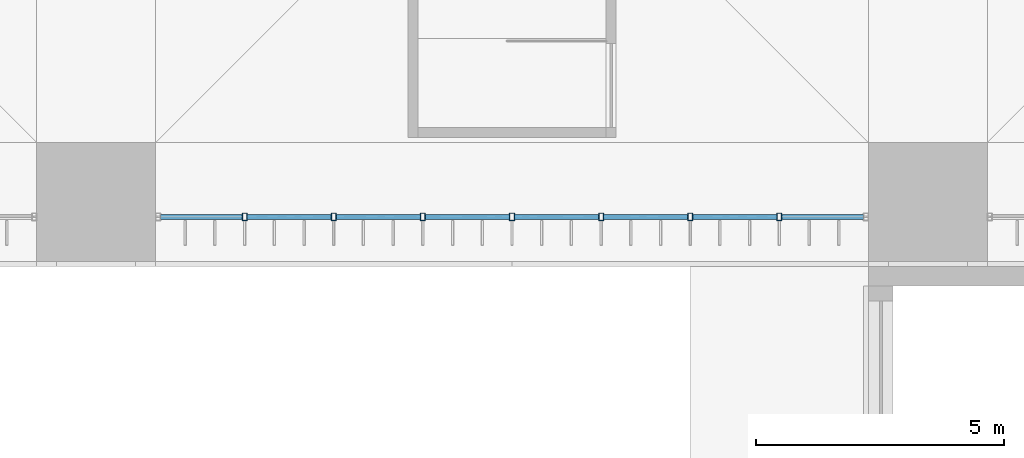
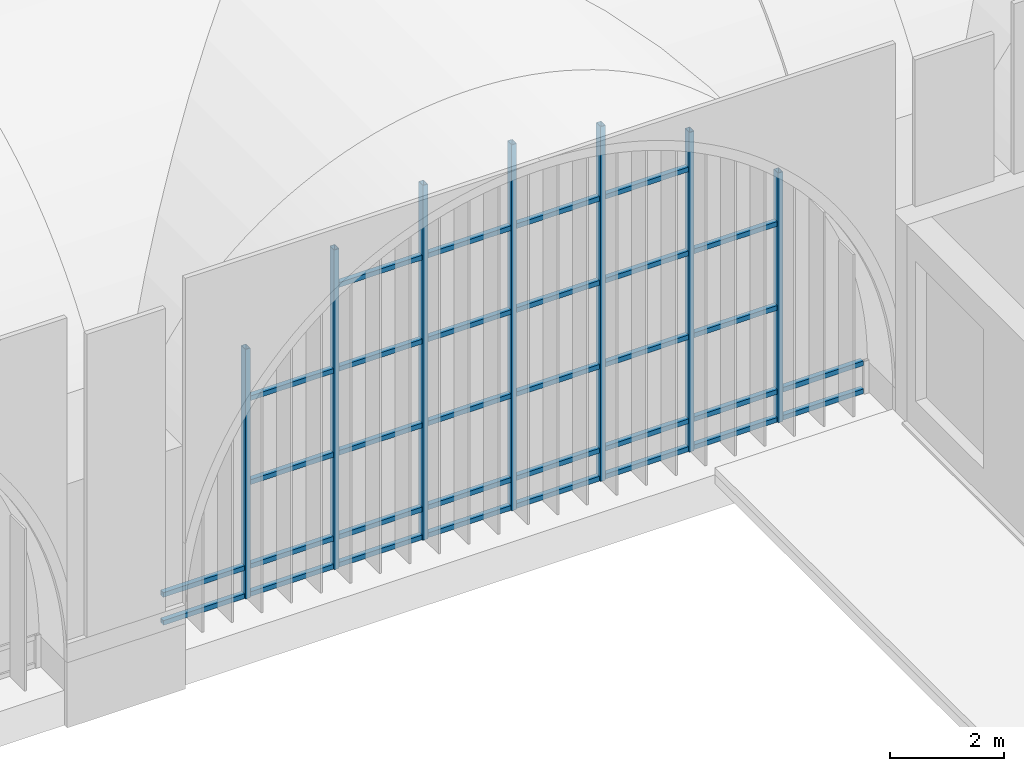
# One storey, part 30 of 169: 39 members, 1 element without a shape of its own.
"""IFC4 building model written with IfcOpenShell, lengths in metres."""

from ifc_helpers import new_model, si_unit, direction, frame, origin, origin_2d, place, context, subcontext, project, spatial, hollow_rectangle, extrude, material, layer, layer_set, material_profile, profile_set, type_object, element, aggregate, save


model = new_model("IFC4")

# Units and contexts
model_context = context("Model", 3, precision=1e-05, world=origin(), true_north=direction((0.0, 1.0)))
body_context = subcontext(model_context, "Body", "Model", "MODEL_VIEW")
ifc_project = project(units=[si_unit("LENGTHUNIT", "METRE"), si_unit("AREAUNIT", "SQUARE_METRE"), si_unit("VOLUMEUNIT", "CUBIC_METRE"), si_unit("PLANEANGLEUNIT", "RADIAN"), si_unit("MASSUNIT", "GRAM", prefix="KILO")], contexts=[model_context])

# Site, building, storey
site_placement = place(None, origin())
site = spatial("IfcSite", under=ifc_project, at=site_placement, CompositionType="ELEMENT")
building_placement = place(site_placement, origin())
building = spatial("IfcBuilding", under=site, at=building_placement, Name="Verrick Yard Athletic Hall", CompositionType="ELEMENT")
storey_placement = place(building_placement, frame((0.0, 0.0, 4.39990234375)))
storey = spatial("IfcBuildingStorey", under=building, at=storey_placement, Name="L01", CompositionType="ELEMENT", Elevation=4.39990234375)

# Curtain wall, members
ifc_material_1 = material(Name="Aluminium and glass curtain wall", Category="aluminium")
ifc_layer = layer(ifc_material_1, 0.14990234375)
ifc_layer_set = layer_set([ifc_layer], Name="Arcade glazing arch")
curtain_wall_type = type_object("IfcCurtainWallType", Name="Arcade glazing arch", PredefinedType="NOTDEFINED", material=ifc_layer_set)
curtain_wall_placement = place(storey_placement, origin())
curtain_wall = element("IfcCurtainWall", 1, at=curtain_wall_placement, inside=storey, type_object=curtain_wall_type, Name="Arcade glazing S3", PredefinedType="NOTDEFINED")
ifc_material_2 = material(Name="Structural steel HSS Class C 350W (CSA G40.20/G40.21)", Category="steel")
ifc_material_profile_1 = material_profile(ifc_material_2, hollow_rectangle(XDim=0.1015625, YDim=0.15234375, WallThickness=0.008056640625, at=origin_2d()), Name="HSS152x102x7.9")
ifc_profile_set_1 = profile_set([ifc_material_profile_1], Name="Structural steel HSS Class C 350W (CSA G40.20/G40.21)")
member_type_1 = type_object("IfcMemberType", Name="Curtain wall mullion HSS152x102x7.9", PredefinedType="MULLION", material=ifc_profile_set_1)
member_1_placement = place(storey_placement, frame((76.60009765625, 18.89990234375, 0.0), z_axis=(0.0, 0.0, 1.0), x_axis=(1.0, 0.0, 0.0)))
member_1 = element("IfcMember", 2, at=member_1_placement, type_object=member_type_1, Name="Arcade glazing S3 mullion 2", PredefinedType="MULLION", context=body_context, shape_type="SweptSolid", body=[
    extrude(hollow_rectangle(XDim=0.1015625, YDim=0.15234375, WallThickness=0.008056640625, at=origin_2d()), origin(), (0.0, 0.0, 1.0), 5.351806640625),
])
member_2_placement = place(storey_placement, frame((78.39990234375, 18.89990234375, 0.0), z_axis=(0.0, 0.0, 1.0), x_axis=(1.0, 0.0, 0.0)))
member_2 = element("IfcMember", 3, at=member_2_placement, type_object=member_type_1, Name="Arcade glazing S3 mullion 3", PredefinedType="MULLION", context=body_context, shape_type="SweptSolid", body=[
    extrude(hollow_rectangle(XDim=0.1015625, YDim=0.15234375, WallThickness=0.008056640625, at=origin_2d()), origin(), (0.0, 0.0, 1.0), 6.8544921875),
])
member_3_placement = place(storey_placement, frame((80.199951171875, 18.89990234375, 0.0), z_axis=(0.0, 0.0, 1.0), x_axis=(1.0, 0.0, 0.0)))
member_3 = element("IfcMember", 4, at=member_3_placement, type_object=member_type_1, Name="Arcade glazing S3 mullion 4", PredefinedType="MULLION", context=body_context, shape_type="SweptSolid", body=[
    extrude(hollow_rectangle(XDim=0.1015625, YDim=0.15234375, WallThickness=0.008056640625, at=origin_2d()), origin(), (0.0, 0.0, 1.0), 7.607666015625),
])
member_4_placement = place(storey_placement, frame((82.0, 18.89990234375, 0.0), z_axis=(0.0, 0.0, 1.0), x_axis=(1.0, 0.0, 0.0)))
member_4 = element("IfcMember", 5, at=member_4_placement, type_object=member_type_1, Name="Arcade glazing S3 mullion 5", PredefinedType="MULLION", context=body_context, shape_type="SweptSolid", body=[
    extrude(hollow_rectangle(XDim=0.1015625, YDim=0.15234375, WallThickness=0.008056640625, at=origin_2d()), origin(), (0.0, 0.0, 1.0), 7.8486328125),
])
member_5_placement = place(storey_placement, frame((83.800048828125, 18.89990234375, 0.0), z_axis=(0.0, 0.0, 1.0), x_axis=(1.0, 0.0, 0.0)))
member_5 = element("IfcMember", 6, at=member_5_placement, type_object=member_type_1, Name="Arcade glazing S3 mullion 6", PredefinedType="MULLION", context=body_context, shape_type="SweptSolid", body=[
    extrude(hollow_rectangle(XDim=0.1015625, YDim=0.15234375, WallThickness=0.008056640625, at=origin_2d()), origin(), (0.0, 0.0, 1.0), 7.607666015625),
])
member_6_placement = place(storey_placement, frame((85.60009765625, 18.89990234375, 0.0), z_axis=(0.0, 0.0, 1.0), x_axis=(1.0, 0.0, 0.0)))
member_6 = element("IfcMember", 7, at=member_6_placement, type_object=member_type_1, Name="Arcade glazing S3 mullion 7", PredefinedType="MULLION", context=body_context, shape_type="SweptSolid", body=[
    extrude(hollow_rectangle(XDim=0.1015625, YDim=0.15234375, WallThickness=0.008056640625, at=origin_2d()), origin(), (0.0, 0.0, 1.0), 6.8544921875),
])
member_7_placement = place(storey_placement, frame((87.39990234375, 18.89990234375, 0.0), z_axis=(0.0, 0.0, 1.0), x_axis=(1.0, 0.0, 0.0)))
member_7 = element("IfcMember", 8, at=member_7_placement, type_object=member_type_1, Name="Arcade glazing S3 mullion 8", PredefinedType="MULLION", context=body_context, shape_type="SweptSolid", body=[
    extrude(hollow_rectangle(XDim=0.1015625, YDim=0.15234375, WallThickness=0.008056640625, at=origin_2d()), origin(), (0.0, 0.0, 1.0), 5.351806640625),
])
ifc_material_profile_2 = material_profile(ifc_material_2, hollow_rectangle(XDim=0.1015625, YDim=0.1015625, WallThickness=0.00634765625, at=origin_2d()), Name="HSS102x102x6.4")
ifc_profile_set_2 = profile_set([ifc_material_profile_2], Name="Structural steel HSS Class C 350W (CSA G40.20/G40.21)")
member_type_2 = type_object("IfcMemberType", Name="Curtain wall transom HSS102x102x6.4", PredefinedType="USERDEFINED", material=ifc_profile_set_2)
member_8_placement = place(storey_placement, frame((74.902099609375, 18.89990234375, 0.05078125), z_axis=(1.0, 0.0, 0.0), x_axis=(0.0, 1.0, 0.0)))
member_8 = element("IfcMember", 9, at=member_8_placement, type_object=member_type_2, Name="Arcade glazing S3 transom 1", ObjectType="TRANSOM", PredefinedType="USERDEFINED", context=body_context, shape_type="SweptSolid", body=[
    extrude(hollow_rectangle(XDim=0.1015625, YDim=0.1015625, WallThickness=0.00634765625, at=origin_2d()), origin(), (0.0, 0.0, 1.0), 1.647216796875),
])
member_9_placement = place(storey_placement, frame((74.902099609375, 18.89990234375, 0.650146484375), z_axis=(1.0, 0.0, 0.0), x_axis=(0.0, 1.0, 0.0)))
member_9 = element("IfcMember", 10, at=member_9_placement, type_object=member_type_2, Name="Arcade glazing S3 transom 2", ObjectType="TRANSOM", PredefinedType="USERDEFINED", context=body_context, shape_type="SweptSolid", body=[
    extrude(hollow_rectangle(XDim=0.1015625, YDim=0.1015625, WallThickness=0.00634765625, at=origin_2d()), origin(), (0.0, 0.0, 1.0), 1.647216796875),
])
member_10_placement = place(storey_placement, frame((76.65087890625, 18.89990234375, 0.05078125), z_axis=(1.0, 0.0, 0.0), x_axis=(0.0, 1.0, 0.0)))
member_10 = element("IfcMember", 11, at=member_10_placement, type_object=member_type_2, Name="Arcade glazing S3 transom 3", ObjectType="TRANSOM", PredefinedType="USERDEFINED", context=body_context, shape_type="SweptSolid", body=[
    extrude(hollow_rectangle(XDim=0.1015625, YDim=0.1015625, WallThickness=0.00634765625, at=origin_2d()), origin(), (0.0, 0.0, 1.0), 1.6982421875),
])
member_11_placement = place(storey_placement, frame((76.65087890625, 18.89990234375, 0.650146484375), z_axis=(1.0, 0.0, 0.0), x_axis=(0.0, 1.0, 0.0)))
member_11 = element("IfcMember", 12, at=member_11_placement, type_object=member_type_2, Name="Arcade glazing S3 transom 4", ObjectType="TRANSOM", PredefinedType="USERDEFINED", context=body_context, shape_type="SweptSolid", body=[
    extrude(hollow_rectangle(XDim=0.1015625, YDim=0.1015625, WallThickness=0.00634765625, at=origin_2d()), origin(), (0.0, 0.0, 1.0), 1.6982421875),
])
member_12_placement = place(storey_placement, frame((76.65087890625, 18.89990234375, 2.4501953125), z_axis=(1.0, 0.0, 0.0), x_axis=(0.0, 1.0, 0.0)))
member_12 = element("IfcMember", 13, at=member_12_placement, type_object=member_type_2, Name="Arcade glazing S3 transom 5", ObjectType="TRANSOM", PredefinedType="USERDEFINED", context=body_context, shape_type="SweptSolid", body=[
    extrude(hollow_rectangle(XDim=0.1015625, YDim=0.1015625, WallThickness=0.00634765625, at=origin_2d()), origin(), (0.0, 0.0, 1.0), 1.6982421875),
])
member_13_placement = place(storey_placement, frame((76.65087890625, 18.89990234375, 4.25), z_axis=(1.0, 0.0, 0.0), x_axis=(0.0, 1.0, 0.0)))
member_13 = element("IfcMember", 14, at=member_13_placement, type_object=member_type_2, Name="Arcade glazing S3 transom 6", ObjectType="TRANSOM", PredefinedType="USERDEFINED", context=body_context, shape_type="SweptSolid", body=[
    extrude(hollow_rectangle(XDim=0.1015625, YDim=0.1015625, WallThickness=0.00634765625, at=origin_2d()), origin(), (0.0, 0.0, 1.0), 1.6982421875),
])
member_14_placement = place(storey_placement, frame((78.45068359375, 18.89990234375, 0.05078125), z_axis=(1.0, 0.0, 0.0), x_axis=(0.0, 1.0, 0.0)))
member_14 = element("IfcMember", 15, at=member_14_placement, type_object=member_type_2, Name="Arcade glazing S3 transom 7", ObjectType="TRANSOM", PredefinedType="USERDEFINED", context=body_context, shape_type="SweptSolid", body=[
    extrude(hollow_rectangle(XDim=0.1015625, YDim=0.1015625, WallThickness=0.00634765625, at=origin_2d()), origin(), (0.0, 0.0, 1.0), 1.698486328125),
])
member_15_placement = place(storey_placement, frame((78.45068359375, 18.89990234375, 0.650146484375), z_axis=(1.0, 0.0, 0.0), x_axis=(0.0, 1.0, 0.0)))
member_15 = element("IfcMember", 16, at=member_15_placement, type_object=member_type_2, Name="Arcade glazing S3 transom 8", ObjectType="TRANSOM", PredefinedType="USERDEFINED", context=body_context, shape_type="SweptSolid", body=[
    extrude(hollow_rectangle(XDim=0.1015625, YDim=0.1015625, WallThickness=0.00634765625, at=origin_2d()), origin(), (0.0, 0.0, 1.0), 1.698486328125),
])
member_16_placement = place(storey_placement, frame((78.45068359375, 18.89990234375, 2.4501953125), z_axis=(1.0, 0.0, 0.0), x_axis=(0.0, 1.0, 0.0)))
member_16 = element("IfcMember", 17, at=member_16_placement, type_object=member_type_2, Name="Arcade glazing S3 transom 9", ObjectType="TRANSOM", PredefinedType="USERDEFINED", context=body_context, shape_type="SweptSolid", body=[
    extrude(hollow_rectangle(XDim=0.1015625, YDim=0.1015625, WallThickness=0.00634765625, at=origin_2d()), origin(), (0.0, 0.0, 1.0), 1.698486328125),
])
member_17_placement = place(storey_placement, frame((78.45068359375, 18.89990234375, 4.25), z_axis=(1.0, 0.0, 0.0), x_axis=(0.0, 1.0, 0.0)))
member_17 = element("IfcMember", 18, at=member_17_placement, type_object=member_type_2, Name="Arcade glazing S3 transom 10", ObjectType="TRANSOM", PredefinedType="USERDEFINED", context=body_context, shape_type="SweptSolid", body=[
    extrude(hollow_rectangle(XDim=0.1015625, YDim=0.1015625, WallThickness=0.00634765625, at=origin_2d()), origin(), (0.0, 0.0, 1.0), 1.698486328125),
])
member_18_placement = place(storey_placement, frame((78.45068359375, 18.89990234375, 6.050048828125), z_axis=(1.0, 0.0, 0.0), x_axis=(0.0, 1.0, 0.0)))
member_18 = element("IfcMember", 19, at=member_18_placement, type_object=member_type_2, Name="Arcade glazing S3 transom 11", ObjectType="TRANSOM", PredefinedType="USERDEFINED", context=body_context, shape_type="SweptSolid", body=[
    extrude(hollow_rectangle(XDim=0.1015625, YDim=0.1015625, WallThickness=0.00634765625, at=origin_2d()), origin(), (0.0, 0.0, 1.0), 1.698486328125),
])
member_19_placement = place(storey_placement, frame((80.250732421875, 18.89990234375, 0.05078125), z_axis=(1.0, 0.0, 0.0), x_axis=(0.0, 1.0, 0.0)))
member_19 = element("IfcMember", 20, at=member_19_placement, type_object=member_type_2, Name="Arcade glazing S3 transom 12", ObjectType="TRANSOM", PredefinedType="USERDEFINED", context=body_context, shape_type="SweptSolid", body=[
    extrude(hollow_rectangle(XDim=0.1015625, YDim=0.1015625, WallThickness=0.00634765625, at=origin_2d()), origin(), (0.0, 0.0, 1.0), 1.698486328125),
])
member_20_placement = place(storey_placement, frame((80.250732421875, 18.89990234375, 0.650146484375), z_axis=(1.0, 0.0, 0.0), x_axis=(0.0, 1.0, 0.0)))
member_20 = element("IfcMember", 21, at=member_20_placement, type_object=member_type_2, Name="Arcade glazing S3 transom 13", ObjectType="TRANSOM", PredefinedType="USERDEFINED", context=body_context, shape_type="SweptSolid", body=[
    extrude(hollow_rectangle(XDim=0.1015625, YDim=0.1015625, WallThickness=0.00634765625, at=origin_2d()), origin(), (0.0, 0.0, 1.0), 1.698486328125),
])
member_21_placement = place(storey_placement, frame((80.250732421875, 18.89990234375, 2.4501953125), z_axis=(1.0, 0.0, 0.0), x_axis=(0.0, 1.0, 0.0)))
member_21 = element("IfcMember", 22, at=member_21_placement, type_object=member_type_2, Name="Arcade glazing S3 transom 14", ObjectType="TRANSOM", PredefinedType="USERDEFINED", context=body_context, shape_type="SweptSolid", body=[
    extrude(hollow_rectangle(XDim=0.1015625, YDim=0.1015625, WallThickness=0.00634765625, at=origin_2d()), origin(), (0.0, 0.0, 1.0), 1.698486328125),
])
member_22_placement = place(storey_placement, frame((80.250732421875, 18.89990234375, 4.25), z_axis=(1.0, 0.0, 0.0), x_axis=(0.0, 1.0, 0.0)))
member_22 = element("IfcMember", 23, at=member_22_placement, type_object=member_type_2, Name="Arcade glazing S3 transom 15", ObjectType="TRANSOM", PredefinedType="USERDEFINED", context=body_context, shape_type="SweptSolid", body=[
    extrude(hollow_rectangle(XDim=0.1015625, YDim=0.1015625, WallThickness=0.00634765625, at=origin_2d()), origin(), (0.0, 0.0, 1.0), 1.698486328125),
])
member_23_placement = place(storey_placement, frame((80.250732421875, 18.89990234375, 6.050048828125), z_axis=(1.0, 0.0, 0.0), x_axis=(0.0, 1.0, 0.0)))
member_23 = element("IfcMember", 24, at=member_23_placement, type_object=member_type_2, Name="Arcade glazing S3 transom 16", ObjectType="TRANSOM", PredefinedType="USERDEFINED", context=body_context, shape_type="SweptSolid", body=[
    extrude(hollow_rectangle(XDim=0.1015625, YDim=0.1015625, WallThickness=0.00634765625, at=origin_2d()), origin(), (0.0, 0.0, 1.0), 1.698486328125),
])
member_24_placement = place(storey_placement, frame((82.05078125, 18.89990234375, 0.05078125), z_axis=(1.0, 0.0, 0.0), x_axis=(0.0, 1.0, 0.0)))
member_24 = element("IfcMember", 25, at=member_24_placement, type_object=member_type_2, Name="Arcade glazing S3 transom 17", ObjectType="TRANSOM", PredefinedType="USERDEFINED", context=body_context, shape_type="SweptSolid", body=[
    extrude(hollow_rectangle(XDim=0.1015625, YDim=0.1015625, WallThickness=0.00634765625, at=origin_2d()), origin(), (0.0, 0.0, 1.0), 1.698486328125),
])
member_25_placement = place(storey_placement, frame((82.05078125, 18.89990234375, 0.650146484375), z_axis=(1.0, 0.0, 0.0), x_axis=(0.0, 1.0, 0.0)))
member_25 = element("IfcMember", 26, at=member_25_placement, type_object=member_type_2, Name="Arcade glazing S3 transom 18", ObjectType="TRANSOM", PredefinedType="USERDEFINED", context=body_context, shape_type="SweptSolid", body=[
    extrude(hollow_rectangle(XDim=0.1015625, YDim=0.1015625, WallThickness=0.00634765625, at=origin_2d()), origin(), (0.0, 0.0, 1.0), 1.698486328125),
])
member_26_placement = place(storey_placement, frame((82.05078125, 18.89990234375, 2.4501953125), z_axis=(1.0, 0.0, 0.0), x_axis=(0.0, 1.0, 0.0)))
member_26 = element("IfcMember", 27, at=member_26_placement, type_object=member_type_2, Name="Arcade glazing S3 transom 19", ObjectType="TRANSOM", PredefinedType="USERDEFINED", context=body_context, shape_type="SweptSolid", body=[
    extrude(hollow_rectangle(XDim=0.1015625, YDim=0.1015625, WallThickness=0.00634765625, at=origin_2d()), origin(), (0.0, 0.0, 1.0), 1.698486328125),
])
member_27_placement = place(storey_placement, frame((82.05078125, 18.89990234375, 4.25), z_axis=(1.0, 0.0, 0.0), x_axis=(0.0, 1.0, 0.0)))
member_27 = element("IfcMember", 28, at=member_27_placement, type_object=member_type_2, Name="Arcade glazing S3 transom 20", ObjectType="TRANSOM", PredefinedType="USERDEFINED", context=body_context, shape_type="SweptSolid", body=[
    extrude(hollow_rectangle(XDim=0.1015625, YDim=0.1015625, WallThickness=0.00634765625, at=origin_2d()), origin(), (0.0, 0.0, 1.0), 1.698486328125),
])
member_28_placement = place(storey_placement, frame((82.05078125, 18.89990234375, 6.050048828125), z_axis=(1.0, 0.0, 0.0), x_axis=(0.0, 1.0, 0.0)))
member_28 = element("IfcMember", 29, at=member_28_placement, type_object=member_type_2, Name="Arcade glazing S3 transom 21", ObjectType="TRANSOM", PredefinedType="USERDEFINED", context=body_context, shape_type="SweptSolid", body=[
    extrude(hollow_rectangle(XDim=0.1015625, YDim=0.1015625, WallThickness=0.00634765625, at=origin_2d()), origin(), (0.0, 0.0, 1.0), 1.698486328125),
])
member_29_placement = place(storey_placement, frame((83.850830078125, 18.89990234375, 0.05078125), z_axis=(1.0, 0.0, 0.0), x_axis=(0.0, 1.0, 0.0)))
member_29 = element("IfcMember", 30, at=member_29_placement, type_object=member_type_2, Name="Arcade glazing S3 transom 22", ObjectType="TRANSOM", PredefinedType="USERDEFINED", context=body_context, shape_type="SweptSolid", body=[
    extrude(hollow_rectangle(XDim=0.1015625, YDim=0.1015625, WallThickness=0.00634765625, at=origin_2d()), origin(), (0.0, 0.0, 1.0), 1.698486328125),
])
member_30_placement = place(storey_placement, frame((83.850830078125, 18.89990234375, 0.650146484375), z_axis=(1.0, 0.0, 0.0), x_axis=(0.0, 1.0, 0.0)))
member_30 = element("IfcMember", 31, at=member_30_placement, type_object=member_type_2, Name="Arcade glazing S3 transom 23", ObjectType="TRANSOM", PredefinedType="USERDEFINED", context=body_context, shape_type="SweptSolid", body=[
    extrude(hollow_rectangle(XDim=0.1015625, YDim=0.1015625, WallThickness=0.00634765625, at=origin_2d()), origin(), (0.0, 0.0, 1.0), 1.698486328125),
])
member_31_placement = place(storey_placement, frame((83.850830078125, 18.89990234375, 2.4501953125), z_axis=(1.0, 0.0, 0.0), x_axis=(0.0, 1.0, 0.0)))
member_31 = element("IfcMember", 32, at=member_31_placement, type_object=member_type_2, Name="Arcade glazing S3 transom 24", ObjectType="TRANSOM", PredefinedType="USERDEFINED", context=body_context, shape_type="SweptSolid", body=[
    extrude(hollow_rectangle(XDim=0.1015625, YDim=0.1015625, WallThickness=0.00634765625, at=origin_2d()), origin(), (0.0, 0.0, 1.0), 1.698486328125),
])
member_32_placement = place(storey_placement, frame((83.850830078125, 18.89990234375, 4.25), z_axis=(1.0, 0.0, 0.0), x_axis=(0.0, 1.0, 0.0)))
member_32 = element("IfcMember", 33, at=member_32_placement, type_object=member_type_2, Name="Arcade glazing S3 transom 25", ObjectType="TRANSOM", PredefinedType="USERDEFINED", context=body_context, shape_type="SweptSolid", body=[
    extrude(hollow_rectangle(XDim=0.1015625, YDim=0.1015625, WallThickness=0.00634765625, at=origin_2d()), origin(), (0.0, 0.0, 1.0), 1.698486328125),
])
member_33_placement = place(storey_placement, frame((83.850830078125, 18.89990234375, 6.050048828125), z_axis=(1.0, 0.0, 0.0), x_axis=(0.0, 1.0, 0.0)))
member_33 = element("IfcMember", 34, at=member_33_placement, type_object=member_type_2, Name="Arcade glazing S3 transom 26", ObjectType="TRANSOM", PredefinedType="USERDEFINED", context=body_context, shape_type="SweptSolid", body=[
    extrude(hollow_rectangle(XDim=0.1015625, YDim=0.1015625, WallThickness=0.00634765625, at=origin_2d()), origin(), (0.0, 0.0, 1.0), 1.698486328125),
])
member_34_placement = place(storey_placement, frame((85.65087890625, 18.89990234375, 0.05078125), z_axis=(1.0, 0.0, 0.0), x_axis=(0.0, 1.0, 0.0)))
member_34 = element("IfcMember", 35, at=member_34_placement, type_object=member_type_2, Name="Arcade glazing S3 transom 27", ObjectType="TRANSOM", PredefinedType="USERDEFINED", context=body_context, shape_type="SweptSolid", body=[
    extrude(hollow_rectangle(XDim=0.1015625, YDim=0.1015625, WallThickness=0.00634765625, at=origin_2d()), origin(), (0.0, 0.0, 1.0), 1.6982421875),
])
member_35_placement = place(storey_placement, frame((85.65087890625, 18.89990234375, 0.650146484375), z_axis=(1.0, 0.0, 0.0), x_axis=(0.0, 1.0, 0.0)))
member_35 = element("IfcMember", 36, at=member_35_placement, type_object=member_type_2, Name="Arcade glazing S3 transom 28", ObjectType="TRANSOM", PredefinedType="USERDEFINED", context=body_context, shape_type="SweptSolid", body=[
    extrude(hollow_rectangle(XDim=0.1015625, YDim=0.1015625, WallThickness=0.00634765625, at=origin_2d()), origin(), (0.0, 0.0, 1.0), 1.6982421875),
])
member_36_placement = place(storey_placement, frame((85.65087890625, 18.89990234375, 2.4501953125), z_axis=(1.0, 0.0, 0.0), x_axis=(0.0, 1.0, 0.0)))
member_36 = element("IfcMember", 37, at=member_36_placement, type_object=member_type_2, Name="Arcade glazing S3 transom 29", ObjectType="TRANSOM", PredefinedType="USERDEFINED", context=body_context, shape_type="SweptSolid", body=[
    extrude(hollow_rectangle(XDim=0.1015625, YDim=0.1015625, WallThickness=0.00634765625, at=origin_2d()), origin(), (0.0, 0.0, 1.0), 1.6982421875),
])
member_37_placement = place(storey_placement, frame((85.65087890625, 18.89990234375, 4.25), z_axis=(1.0, 0.0, 0.0), x_axis=(0.0, 1.0, 0.0)))
member_37 = element("IfcMember", 38, at=member_37_placement, type_object=member_type_2, Name="Arcade glazing S3 transom 30", ObjectType="TRANSOM", PredefinedType="USERDEFINED", context=body_context, shape_type="SweptSolid", body=[
    extrude(hollow_rectangle(XDim=0.1015625, YDim=0.1015625, WallThickness=0.00634765625, at=origin_2d()), origin(), (0.0, 0.0, 1.0), 1.6982421875),
])
member_38_placement = place(storey_placement, frame((87.45068359375, 18.89990234375, 0.05078125), z_axis=(1.0, 0.0, 0.0), x_axis=(0.0, 1.0, 0.0)))
member_38 = element("IfcMember", 39, at=member_38_placement, type_object=member_type_2, Name="Arcade glazing S3 transom 31", ObjectType="TRANSOM", PredefinedType="USERDEFINED", context=body_context, shape_type="SweptSolid", body=[
    extrude(hollow_rectangle(XDim=0.1015625, YDim=0.1015625, WallThickness=0.00634765625, at=origin_2d()), origin(), (0.0, 0.0, 1.0), 1.647216796875),
])
member_39_placement = place(storey_placement, frame((87.45068359375, 18.89990234375, 0.650146484375), z_axis=(1.0, 0.0, 0.0), x_axis=(0.0, 1.0, 0.0)))
member_39 = element("IfcMember", 40, at=member_39_placement, type_object=member_type_2, Name="Arcade glazing S3 transom 32", ObjectType="TRANSOM", PredefinedType="USERDEFINED", context=body_context, shape_type="SweptSolid", body=[
    extrude(hollow_rectangle(XDim=0.1015625, YDim=0.1015625, WallThickness=0.00634765625, at=origin_2d()), origin(), (0.0, 0.0, 1.0), 1.647216796875),
])
aggregate(curtain_wall, [member_1, member_2, member_3, member_4, member_5, member_6, member_7, member_8, member_9, member_10, member_11, member_12, member_13, member_14, member_15, member_16, member_17, member_18, member_19, member_20, member_21, member_22, member_23, member_24, member_25, member_26, member_27, member_28, member_29, member_30, member_31, member_32, member_33, member_34, member_35, member_36, member_37, member_38, member_39])

save(model, "model.ifc")
